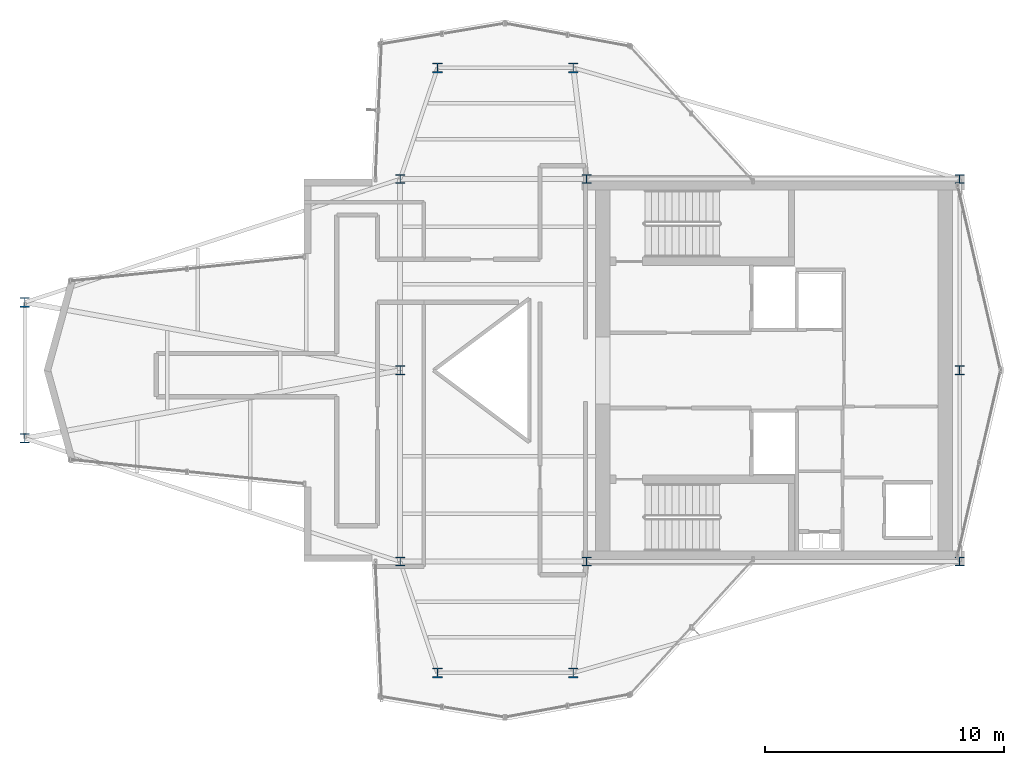
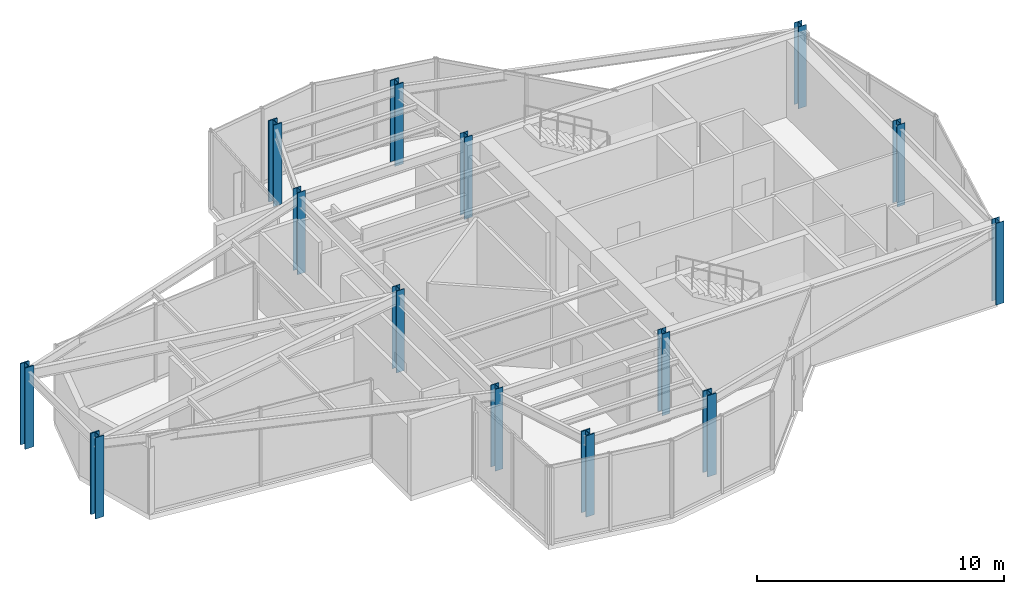
# One storey, part 1 of 13: 14 columns.
"""IFC4 building model written with IfcOpenShell, lengths in metres."""

from ifc_helpers import new_model, si_unit, direction, frame, origin, origin_2d, place, context, subcontext, project, spatial, i_section, extrude, material, material_profile, profile_set, type_object, element, save


model = new_model("IFC4")

# Units and contexts
model_context = context("Model", 3, precision=1e-05, world=origin(), true_north=direction((0.0, 1.0)))
body_context = subcontext(model_context, "Body", "Model", "MODEL_VIEW")
ifc_project = project(units=[si_unit("LENGTHUNIT", "METRE"), si_unit("AREAUNIT", "SQUARE_METRE"), si_unit("VOLUMEUNIT", "CUBIC_METRE"), si_unit("PLANEANGLEUNIT", "RADIAN"), si_unit("MASSUNIT", "GRAM", prefix="KILO")], contexts=[model_context])

# Site, building, storey
site_placement = place(None, origin())
site = spatial("IfcSite", under=ifc_project, at=site_placement, CompositionType="ELEMENT")
building_placement = place(site_placement, origin())
building = spatial("IfcBuilding", under=site, at=building_placement, Name="Veymaron Broadcast Tower", CompositionType="ELEMENT")
storey_placement = place(building_placement, frame((0.0, 0.0, 279.0)))
storey = spatial("IfcBuildingStorey", under=building, at=storey_placement, Name="L65", CompositionType="ELEMENT", Elevation=279.0)

# Columns
ifc_material_1 = material(Name="Structural steel ASTM A992 Gr 50", Category="steel")
ifc_material_profile_1 = material_profile(ifc_material_1, i_section(OverallWidth=0.373046875, OverallDepth=0.367919921875, WebThickness=0.014892578125, FlangeThickness=0.02392578125, at=origin_2d()), Name="W360X179")
ifc_profile_set_1 = profile_set([ifc_material_profile_1], Name="Structural steel ASTM A992 Gr 50")
column_type_1 = type_object("IfcColumnType", Name="COL-HC4", PredefinedType="COLUMN", material=ifc_profile_set_1)
for number, where, z_axis, x_axis, name in (
    (1, (31.199951171875, 16.0, 0.0), (0.0, 0.0, 1.0), (1.0, 0.0, 0.0), "L65 structural hub and core column"),
    (2, (31.199951171875, 24.0, 0.0), (0.0, 0.0, 1.0), (1.0, 0.0, 0.0), "L65 structural hub and core column"),
    (3, (31.199951171875, 32.0, 0.0), (0.0, 0.0, 1.0), (1.0, 0.0, 0.0), "L65 structural hub and core column"),
    (4, (39.0, 16.0, 0.0), (0.0, 0.0, 1.0), (1.0, 0.0, 0.0), "L65 structural hub and core column"),
    (5, (39.0, 32.0, 0.0), (0.0, 0.0, 1.0), (1.0, 0.0, 0.0), "L65 structural hub and core column"),
    (6, (54.60009765625, 16.0, 0.0), (0.0, 0.0, 1.0), (1.0, 0.0, 0.0), "L65 structural hub and core column"),
    (7, (54.60009765625, 24.0, 0.0), (0.0, 0.0, 1.0), (1.0, 0.0, 0.0), "L65 structural hub and core column"),
    (8, (54.60009765625, 32.0, 0.0), (0.0, 0.0, 1.0), (1.0, 0.0, 0.0), "L65 structural hub and core column"),
):
    element("IfcColumn", number, at=place(storey_placement, frame(where, z_axis=z_axis, x_axis=x_axis)), inside=storey, type_object=column_type_1, Name=name, PredefinedType="COLUMN", context=body_context, shape_type="SweptSolid", body=[
        extrude(i_section(OverallWidth=0.373046875, OverallDepth=0.367919921875, WebThickness=0.014892578125, FlangeThickness=0.02392578125, at=origin_2d()), origin(), (0.0, 0.0, 1.0), 4.0439453125),
    ])
ifc_material_2 = material(Name="Structural steel ASTM A913 Gr 65", Category="steel")
ifc_material_profile_2 = material_profile(ifc_material_2, i_section(OverallWidth=0.406005859375, OverallDepth=0.416015625, WebThickness=0.02978515625, FlangeThickness=0.048095703125, at=origin_2d()), Name="W360X382")
ifc_profile_set_2 = profile_set([ifc_material_profile_2], Name="Structural steel ASTM A913 Gr 65")
column_type_2 = type_object("IfcColumnType", Name="COL-MC4", PredefinedType="COLUMN", material=ifc_profile_set_2)
for number, where, z_axis, x_axis, name in (
    (9, (15.50048828125, 21.157958984375, 0.01611328125), (0.0, 0.0, 1.0), (1.0, 0.0, 0.0), "L65 Tapered Wing Mega Column"),
    (10, (15.50048828125, 26.842041015625, 0.01611328125), (0.0, 0.0, 1.0), (1.0, 0.0, 0.0), "L65 Tapered Wing Mega Column"),
    (11, (32.762451171875, 36.652099609375, 0.01611328125), (0.0, 0.0, 1.0), (1.0, 0.0, 0.0), "L65 Tapered Wing Mega Column"),
    (12, (38.44189453125, 36.652099609375, 0.01611328125), (0.0, 0.0, 1.0), (1.0, 0.0, 0.0), "L65 Tapered Wing Mega Column"),
    (13, (32.762451171875, 11.347900390625, 0.01611328125), (0.0, 0.0, 1.0), (1.0, 0.0, 0.0), "L65 Tapered Wing Mega Column"),
    (14, (38.44189453125, 11.347900390625, 0.01611328125), (0.0, 0.0, 1.0), (1.0, 0.0, 0.0), "L65 Tapered Wing Mega Column"),
):
    element("IfcColumn", number, at=place(storey_placement, frame(where, z_axis=z_axis, x_axis=x_axis)), inside=storey, type_object=column_type_2, Name=name, PredefinedType="COLUMN", context=body_context, shape_type="SweptSolid", body=[
        extrude(i_section(OverallWidth=0.406005859375, OverallDepth=0.416015625, WebThickness=0.02978515625, FlangeThickness=0.048095703125, at=origin_2d()), origin(), (0.0, 0.0, 1.0), 4.017822265625),
    ])

save(model, "model.ifc")
